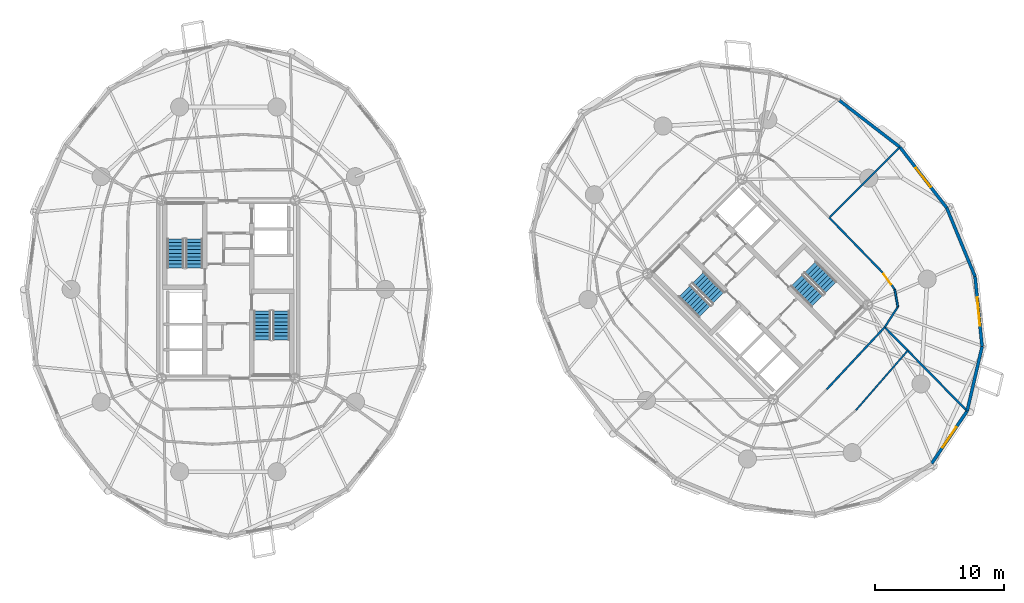
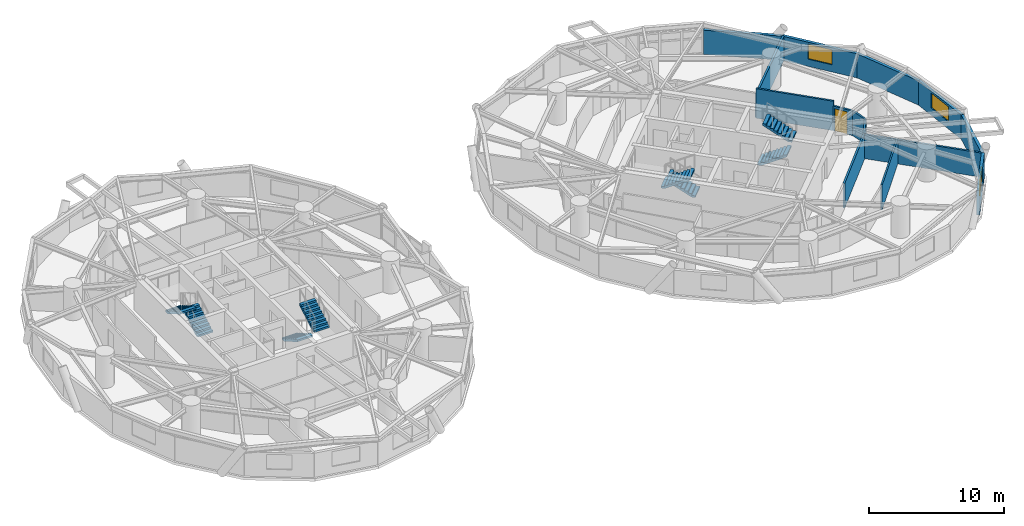
# One storey, part 15 of 17: 14 walls, 8 stair flights, 3 windows, 1 door, 4 openings, 4 elements without a shape of their own.
"""IFC4 building model written with IfcOpenShell, lengths in metres."""

import ifcopenshell
import ifcopenshell.guid

model = None  # the IFC model being written
_history = None  # IfcOwnerHistory: only IFC2X3 demands one
_inside = {}  # id of a spatial element -> (the spatial element, [elements in it])
_under = {}  # id of a project, library or spatial element -> (it, [spatial elements below it])
_declared = {}  # id of a project -> (the project, [libraries it declares])
_typed = {}  # id of a type object -> (the type object, [elements of that type])
_made_of = {}  # id of a material, layer set ... -> (it, [elements and type objects made of it])


def new_model(schema):
    """Start an empty IFC model of exactly this schema.

    Asked for "IFC4X3", IfcOpenShell would pick the latest addendum, in which some entities
    have other attributes; the version numbers below select the first issue.
    IFC2X3 requires an IfcOwnerHistory on every rooted entity: one is made here for all.
    """
    global model, _history
    if schema == "IFC4X3":
        model = ifcopenshell.file(schema_version=(4, 3, 0, 0))
    else:
        model = ifcopenshell.file(schema=schema)
    _inside.clear()
    _under.clear()
    _declared.clear()
    _typed.clear()
    _made_of.clear()
    _history = None
    if model.schema == "IFC2X3":
        org = make("IfcOrganization", Name="unknown")
        user = make(
            "IfcPersonAndOrganization",
            ThePerson=make("IfcPerson", FamilyName="unknown"),
            TheOrganization=org,
        )
        app = make(
            "IfcApplication",
            ApplicationDeveloper=org,
            Version="unknown",
            ApplicationFullName="unknown",
            ApplicationIdentifier="unknown",
        )
        _history = make(
            "IfcOwnerHistory",
            OwningUser=user,
            OwningApplication=app,
            ChangeAction="ADDED",
            CreationDate=0,
        )
    return model


def make(cls, **values):
    """One entity of the class cls with the attributes given. An attribute that is None is left unset."""
    return model.create_entity(
        cls, **{name: value for name, value in values.items() if value is not None}
    )


def rooted(cls, **values):
    """An entity with a GlobalId (a new one), such as an element, a storey or a relation."""
    return make(cls, GlobalId=ifcopenshell.guid.new(), OwnerHistory=_history, **values)


def si_unit(unit_type, name, prefix=None):
    """IfcSIUnit, for example si_unit("LENGTHUNIT", "METRE", prefix="MILLI")."""
    return make("IfcSIUnit", UnitType=unit_type, Prefix=prefix, Name=name)


def assignment(units):
    """IfcUnitAssignment: the units of a project."""
    return None if units is None else make("IfcUnitAssignment", Units=units)


def point(xyz):
    """IfcCartesianPoint."""
    return None if xyz is None else make("IfcCartesianPoint", Coordinates=xyz)


def direction(xyz):
    """IfcDirection."""
    return None if xyz is None else make("IfcDirection", DirectionRatios=xyz)


def frame(location, z_axis=None, x_axis=None):
    """IfcAxis2Placement3D, a coordinate frame: its origin and axes. An axis left out is left unset."""
    return make(
        "IfcAxis2Placement3D",
        Location=point(location),
        Axis=direction(z_axis),
        RefDirection=direction(x_axis),
    )


def frame_2d(location, x_axis=None):
    """IfcAxis2Placement2D, a coordinate frame in the plane: its origin and x axis."""
    return make(
        "IfcAxis2Placement2D", Location=point(location), RefDirection=direction(x_axis)
    )


def origin():
    """The frame at (0, 0, 0) with its axes left unset."""
    return frame((0.0, 0.0, 0.0))


def place(relative_to, where):
    """IfcLocalPlacement: puts the frame where relative to a parent placement (None: the world)."""
    return make(
        "IfcLocalPlacement", PlacementRelTo=relative_to, RelativePlacement=where
    )


def context(
    kind, dimensions, precision=None, world=None, true_north=None, identifier=None
):
    """IfcGeometricRepresentationContext, for example the 3D "Model" context."""
    return make(
        "IfcGeometricRepresentationContext",
        ContextIdentifier=identifier,
        ContextType=kind,
        CoordinateSpaceDimension=dimensions,
        Precision=precision,
        WorldCoordinateSystem=world,
        TrueNorth=true_north,
    )


def subcontext(parent, identifier, kind, view, scale=None):
    """IfcGeometricRepresentationSubContext, for example "Body" below "Model"."""
    return make(
        "IfcGeometricRepresentationSubContext",
        ContextIdentifier=identifier,
        ContextType=kind,
        ParentContext=parent,
        TargetScale=scale,
        TargetView=view,
    )


def project(units=None, contexts=None):
    """IfcProject with its units and contexts."""
    return rooted(
        "IfcProject",
        Name="project",
        RepresentationContexts=contexts,
        UnitsInContext=assignment(units),
    )


def spatial(cls, under=None, at=None, **own):
    """A site, building, storey or space (cls), placed at a placement, below another one or the project."""
    s = rooted(cls, ObjectPlacement=at, **own)
    if under is not None:
        _under.setdefault(under.id(), (under, []))[1].append(s)
    return s


def polyline(points):
    """IfcPolyline through the points."""
    return make("IfcPolyline", Points=[point(p) for p in points])


def profile(cls, at=None, kind="AREA", **sizes):
    """A parametric profile (cls). Its sizes go by their IFC names, for example OverallWidth=200.0."""
    return make(cls, ProfileType=kind, Position=at, **sizes)


def rectangle(**sizes):
    """IfcRectangleProfileDef."""
    return profile("IfcRectangleProfileDef", **sizes)


def outline(outer, holes=None, kind="AREA"):
    """IfcArbitraryClosedProfileDef: a profile drawn as a closed curve; with holes, ...WithVoids."""
    if holes is None:
        return make("IfcArbitraryClosedProfileDef", ProfileType=kind, OuterCurve=outer)
    return make(
        "IfcArbitraryProfileDefWithVoids",
        ProfileType=kind,
        OuterCurve=outer,
        InnerCurves=holes,
    )


def extrude(swept, where, along, depth):
    """IfcExtrudedAreaSolid: the profile swept, set in the frame where, extruded along a direction by depth."""
    return make(
        "IfcExtrudedAreaSolid",
        SweptArea=swept,
        Position=where,
        ExtrudedDirection=direction(along),
        Depth=depth,
    )


def shape(context_of_items, identifier, shape_type, items):
    """IfcShapeRepresentation: the items that make up one representation, for example the "Body"."""
    return make(
        "IfcShapeRepresentation",
        ContextOfItems=context_of_items,
        RepresentationIdentifier=identifier,
        RepresentationType=shape_type,
        Items=items,
    )


def source(mapping_origin, context_of_items, identifier, shape_type, items):
    """IfcRepresentationMap: a shape defined once, which mapped items show again and again."""
    return make(
        "IfcRepresentationMap",
        MappingOrigin=mapping_origin,
        MappedRepresentation=shape(context_of_items, identifier, shape_type, items),
    )


def transform(
    local_origin,
    x_axis=None,
    y_axis=None,
    z_axis=None,
    scale=None,
    scale2=None,
    scale3=None,
    uniform=True,
):
    """IfcCartesianTransformationOperator3D, or its non-uniform kind. x_axis, y_axis, z_axis: its Axis1, 2, 3."""
    if uniform:
        return make(
            "IfcCartesianTransformationOperator3D",
            Axis1=direction(x_axis),
            Axis2=direction(y_axis),
            LocalOrigin=point(local_origin),
            Scale=scale,
            Axis3=direction(z_axis),
        )
    return make(
        "IfcCartesianTransformationOperator3DnonUniform",
        Axis1=direction(x_axis),
        Axis2=direction(y_axis),
        LocalOrigin=point(local_origin),
        Scale=scale,
        Axis3=direction(z_axis),
        Scale2=scale2,
        Scale3=scale3,
    )


def mapped(mapping_source, mapping_target):
    """IfcMappedItem: shows the shape of a source again, moved by a transform."""
    return make(
        "IfcMappedItem", MappingSource=mapping_source, MappingTarget=mapping_target
    )


def material(Name=None, Category=None):
    """IfcMaterial."""
    return make("IfcMaterial", Name=Name, Category=Category)


def layer(
    of_material, thickness, ventilated=None, Name=None, Category=None, Priority=None
):
    """IfcMaterialLayer: one layer of a wall or slab, of a material (None: an air gap)."""
    return make(
        "IfcMaterialLayer",
        Material=of_material,
        LayerThickness=thickness,
        IsVentilated=ventilated,
        Name=Name,
        Category=Category,
        Priority=Priority,
    )


def layer_set(layers, Name=None):
    """IfcMaterialLayerSet."""
    return make("IfcMaterialLayerSet", MaterialLayers=layers, LayerSetName=Name)


def made_of(thing, what):
    """Note that an element or type object is made of a material, layer set ...; save() writes the relation."""
    if what is not None:
        _made_of.setdefault(what.id(), (what, []))[1].append(thing)
    return thing


def type_object(cls, material=None, **own):
    """A type object (cls), such as IfcWallType, which elements share."""
    return made_of(rooted(cls, **own), material)


def element(
    cls,
    number,
    at=None,
    inside=None,
    cuts=None,
    type_object=None,
    material=None,
    context=None,
    identifier="Body",
    shape_type=None,
    held_by="IfcProductDefinitionShape",
    body=None,
    shapes=None,
    **own,
):
    """One element of the class cls, such as IfcWall. Its Tag is "e" and its number.

    at: its placement. inside: the storey or other place that contains it. cuts: it is an
    opening in that element (IfcRelVoidsElement). A single representation is given by context,
    identifier, shape_type and body (its items); several are given by shapes. held_by: the class
    of the entity that holds the representations. save() writes the other relations.
    """
    e = rooted(cls, Tag="e%d" % number, ObjectPlacement=at, **own)
    if body is not None:
        shapes = [shape(context, identifier, shape_type, body)]
    if shapes is not None:
        e.Representation = make(held_by, Representations=shapes)
    if inside is not None:
        _inside.setdefault(inside.id(), (inside, []))[1].append(e)
    if cuts is not None:
        rooted(
            "IfcRelVoidsElement", RelatingBuildingElement=cuts, RelatedOpeningElement=e
        )
    if type_object is not None:
        _typed.setdefault(type_object.id(), (type_object, []))[1].append(e)
    return made_of(e, material)


def fill(opening, filler):
    """IfcRelFillsElement: the door or window that sits in an opening."""
    return rooted(
        "IfcRelFillsElement",
        RelatingOpeningElement=opening,
        RelatedBuildingElement=filler,
    )


def aggregate(whole, parts):
    """IfcRelAggregates: a whole, such as a stair, and the parts it consists of."""
    return rooted("IfcRelAggregates", RelatingObject=whole, RelatedObjects=parts)


def save(model, path):
    """Write the relations noted so far, then the file.

    IfcRelAggregates (storeys below a building ...), IfcRelContainedInSpatialStructure (elements
    in a storey), IfcRelDefinesByType, IfcRelAssociatesMaterial and IfcRelDeclares: one each for
    every whole, place, type object, material and project.
    """
    for whole, parts in _under.values():
        aggregate(whole, parts)
    for where, things in _inside.values():
        rooted(
            "IfcRelContainedInSpatialStructure",
            RelatedElements=things,
            RelatingStructure=where,
        )
    for kind, things in _typed.values():
        rooted("IfcRelDefinesByType", RelatedObjects=things, RelatingType=kind)
    for what, things in _made_of.values():
        rooted("IfcRelAssociatesMaterial", RelatedObjects=things, RelatingMaterial=what)
    for by, libraries in _declared.values():
        rooted("IfcRelDeclares", RelatingContext=by, RelatedDefinitions=libraries)
    model.write(path)


model = new_model("IFC4")

# Units and contexts
model_context = context("Model", 3, precision=1e-05, world=origin(), true_north=direction((0.0, 1.0)))
body_context = subcontext(model_context, "Body", "Model", "MODEL_VIEW")
ifc_project = project(units=[si_unit("LENGTHUNIT", "METRE"), si_unit("AREAUNIT", "SQUARE_METRE"), si_unit("VOLUMEUNIT", "CUBIC_METRE"), si_unit("PLANEANGLEUNIT", "RADIAN"), si_unit("MASSUNIT", "GRAM", prefix="KILO")], contexts=[model_context])

# Site, building, storey
site_placement = place(None, origin())
site = spatial("IfcSite", under=ifc_project, at=site_placement, CompositionType="ELEMENT")
building_placement = place(site_placement, origin())
building = spatial("IfcBuilding", under=site, at=building_placement, Name="Cununo Teusaquillo Station Towers", CompositionType="ELEMENT")
storey_placement = place(building_placement, frame((0.0, 0.0, 90.52001953125)))
storey = spatial("IfcBuildingStorey", under=building, at=storey_placement, Name="L28", CompositionType="ELEMENT", Elevation=90.52001953125)

# Wall
ifc_material_1 = material(Name="Precast concrete C40/50", Category="concrete")
ifc_layer_1 = layer(ifc_material_1, 0.239990234375)
ifc_layer_set_1 = layer_set([ifc_layer_1], Name="Precast concrete C40/50")
wall_type_1 = type_object("IfcWallType", Name="WL-EXT-240", PredefinedType="SOLIDWALL", material=ifc_layer_set_1)
wall_1_placement = place(storey_placement, frame((63.811279296875, 39.145263671875, 0.0), z_axis=(0.0, 0.0, 1.0), x_axis=(0.791982052206, -0.61054437102, 0.0)))
element("IfcWall", 1, at=wall_1_placement, inside=storey, type_object=wall_type_1, Name="L28 Tower B Exterior Facade Wall C00", PredefinedType="SOLIDWALL", context=body_context, shape_type="SweptSolid", body=[
    extrude(rectangle(XDim=5.942138671875, YDim=0.239990234375, at=frame_2d((2.97119140625, 0.0))), origin(), (0.0, 0.0, 1.0), 2.178955078125),
])

# Wall, opening, window
wall_2_placement = place(storey_placement, frame((73.72900390625, 15.080078125, 0.0), z_axis=(0.0, 0.0, 1.0), x_axis=(-0.559572880421, -0.828781148131, 0.0)))
wall_2 = element("IfcWall", 2, at=wall_2_placement, inside=storey, type_object=wall_type_1, Name="L28 Tower B Exterior Facade Wall C15", PredefinedType="SOLIDWALL", context=body_context, shape_type="SweptSolid", body=[
    extrude(rectangle(XDim=4.904541015625, YDim=0.239990234375, at=frame_2d((2.4521484375, 0.0))), origin(), (0.0, 0.0, 1.0), 2.178955078125),
])
shared_shape_1 = source(origin(), body_context, "Body", "SweptSolid", [
    extrude(rectangle(XDim=1.89990234375, YDim=1.35009765625, at=frame_2d((0.949951171875, 0.675048828125))), frame((0.0, 0.1298828125, 0.0), z_axis=(0.0, -1.0, 0.0), x_axis=(1.0, 0.0, 0.0)), (0.0, 0.0, 1.0), 0.260009765625),
])
opening_1_placement = place(wall_2_placement, frame((1.501953125, 0.0, 0.64990234375)))
opening_1 = element("IfcOpeningElement", 3, at=opening_1_placement, cuts=wall_2, Name="Opening WN-02", PredefinedType="OPENING", context=body_context, shape_type="MappedRepresentation", body=[
    mapped(shared_shape_1, transform((0.0, 0.0, 0.0), x_axis=(1.0, 0.0, 0.0), y_axis=(0.0, 1.0, 0.0), z_axis=(0.0, 0.0, 1.0), scale=1.0)),
])
ifc_material_2 = material(Name="Operable acoustic tinted low-E double glazing", Category="glass")
window_type_1 = type_object("IfcWindowType", Name="WIN-OPER-1900", PartitioningType="DOUBLE_PANEL_VERTICAL", PredefinedType="WINDOW", material=ifc_material_2)
shared_shape_2 = source(origin(), body_context, "Body", "SweptSolid", [
    extrude(rectangle(XDim=1.89990234375, YDim=1.35009765625, at=frame_2d((0.949951171875, 0.675048828125))), frame((0.0, 0.030029296875, 0.0), z_axis=(0.0, -1.0, 0.0), x_axis=(1.0, 0.0, 0.0)), (0.0, 0.0, 1.0), 0.06005859375),
])
window_1_placement = place(opening_1_placement, origin())
window_1 = element("IfcWindow", 4, at=window_1_placement, inside=storey, type_object=window_type_1, Name="L28 Tower B Facade Window C15", OverallHeight=1.35009765625, OverallWidth=1.89990234375, PartitioningType="DOUBLE_PANEL_VERTICAL", PredefinedType="WINDOW", context=body_context, shape_type="MappedRepresentation", body=[
    mapped(shared_shape_2, transform((0.0, 0.0, 0.0), x_axis=(1.0, 0.0, 0.0), y_axis=(0.0, 1.0, 0.0), z_axis=(0.0, 0.0, 1.0), scale=1.0)),
])
fill(opening_1, window_1)

# Wall
wall_3_placement = place(storey_placement, frame((74.885009765625, 20.066650390625, 0.0), z_axis=(0.0, 0.0, 1.0), x_axis=(-0.225834725257, -0.974165631126, 0.0)))
element("IfcWall", 5, at=wall_3_placement, inside=storey, type_object=wall_type_1, Name="L28 Tower B Exterior Facade Wall C16", PredefinedType="SOLIDWALL", context=body_context, shape_type="SweptSolid", body=[
    extrude(rectangle(XDim=5.118896484375, YDim=0.239990234375, at=frame_2d((2.5595703125, 0.0))), origin(), (0.0, 0.0, 1.0), 2.178955078125),
])

# Wall, opening, window
wall_4_placement = place(storey_placement, frame((74.33935546875, 25.4873046875, 0.0), z_axis=(0.0, 0.0, 1.0), x_axis=(0.10015591906, -0.994971754311, 0.0)))
wall_4 = element("IfcWall", 6, at=wall_4_placement, inside=storey, type_object=wall_type_1, Name="L28 Tower B Exterior Facade Wall C17", PredefinedType="SOLIDWALL", context=body_context, shape_type="SweptSolid", body=[
    extrude(rectangle(XDim=5.447998046875, YDim=0.239990234375, at=frame_2d((2.72412109375, 0.0))), origin(), (0.0, 0.0, 1.0), 2.178955078125),
])
shared_shape_3 = source(origin(), body_context, "Body", "SweptSolid", [
    extrude(rectangle(XDim=2.199951171875, YDim=1.35009765625, at=frame_2d((1.10009765625, 0.675048828125))), frame((0.0, 0.1298828125, 0.0), z_axis=(0.0, -1.0, 0.0), x_axis=(1.0, 0.0, 0.0)), (0.0, 0.0, 1.0), 0.260009765625),
])
opening_2_placement = place(wall_4_placement, frame((1.6240234375, 0.0, 0.64990234375)))
opening_2 = element("IfcOpeningElement", 7, at=opening_2_placement, cuts=wall_4, Name="Opening WN-01", PredefinedType="OPENING", context=body_context, shape_type="MappedRepresentation", body=[
    mapped(shared_shape_3, transform((0.0, 0.0, 0.0), x_axis=(1.0, 0.0, 0.0), y_axis=(0.0, 1.0, 0.0), z_axis=(0.0, 0.0, 1.0), scale=1.0)),
])
ifc_material_3 = material(Name="Ceramic-fritted dark low-E double glazing", Category="glass")
window_type_2 = type_object("IfcWindowType", Name="WIN-FRIT-2200", PartitioningType="DOUBLE_PANEL_VERTICAL", PredefinedType="WINDOW", material=ifc_material_3)
shared_shape_4 = source(origin(), body_context, "Body", "SweptSolid", [
    extrude(rectangle(XDim=2.199951171875, YDim=1.35009765625, at=frame_2d((1.10009765625, 0.675048828125))), frame((0.0, 0.030029296875, 0.0), z_axis=(0.0, -1.0, 0.0), x_axis=(1.0, 0.0, 0.0)), (0.0, 0.0, 1.0), 0.06005859375),
])
window_2_placement = place(opening_2_placement, origin())
window_2 = element("IfcWindow", 8, at=window_2_placement, inside=storey, type_object=window_type_2, Name="L28 Tower B Facade Window C17", OverallHeight=1.35009765625, OverallWidth=2.199951171875, PartitioningType="DOUBLE_PANEL_VERTICAL", PredefinedType="WINDOW", context=body_context, shape_type="MappedRepresentation", body=[
    mapped(shared_shape_4, transform((0.0, 0.0, 0.0), x_axis=(1.0, 0.0, 0.0), y_axis=(0.0, 1.0, 0.0), z_axis=(0.0, 0.0, 1.0), scale=1.0)),
])
fill(opening_2, window_2)

# Wall
wall_5_placement = place(storey_placement, frame((72.145263671875, 30.811279296875, 0.0), z_axis=(0.0, 0.0, 1.0), x_axis=(0.381027003055, -0.924563909604, 0.0)))
element("IfcWall", 9, at=wall_5_placement, inside=storey, type_object=wall_type_1, Name="L28 Tower B Exterior Facade Wall C18", PredefinedType="SOLIDWALL", context=body_context, shape_type="SweptSolid", body=[
    extrude(rectangle(XDim=5.75830078125, YDim=0.239990234375, at=frame_2d((2.879150390625, 0.0))), origin(), (0.0, 0.0, 1.0), 2.178955078125),
])

# Wall, opening, window
wall_6_placement = place(storey_placement, frame((68.517333984375, 35.517333984375, 0.0), z_axis=(0.0, 0.0, 1.0), x_axis=(0.61054437102, -0.791982052206, 0.0)))
wall_6 = element("IfcWall", 10, at=wall_6_placement, inside=storey, type_object=wall_type_1, Name="L28 Tower B Exterior Facade Wall C19", PredefinedType="SOLIDWALL", context=body_context, shape_type="SweptSolid", body=[
    extrude(rectangle(XDim=5.942138671875, YDim=0.239990234375, at=frame_2d((2.97119140625, 0.0))), origin(), (0.0, 0.0, 1.0), 2.178955078125),
])
opening_3_placement = place(wall_6_placement, frame((2.02099609375, 0.0, 0.64990234375)))
opening_3 = element("IfcOpeningElement", 11, at=opening_3_placement, cuts=wall_6, Name="Opening WN-02", PredefinedType="OPENING", context=body_context, shape_type="MappedRepresentation", body=[
    mapped(shared_shape_1, transform((0.0, 0.0, 0.0), x_axis=(1.0, 0.0, 0.0), y_axis=(0.0, 1.0, 0.0), z_axis=(0.0, 0.0, 1.0), scale=1.0)),
])
window_3_placement = place(opening_3_placement, origin())
window_3 = element("IfcWindow", 12, at=window_3_placement, inside=storey, type_object=window_type_1, Name="L28 Tower B Facade Window C19", OverallHeight=1.35009765625, OverallWidth=1.89990234375, PartitioningType="DOUBLE_PANEL_VERTICAL", PredefinedType="WINDOW", context=body_context, shape_type="MappedRepresentation", body=[
    mapped(shared_shape_2, transform((0.0, 0.0, 0.0), x_axis=(1.0, 0.0, 0.0), y_axis=(0.0, 1.0, 0.0), z_axis=(0.0, 0.0, 1.0), scale=1.0)),
])
fill(opening_3, window_3)

# Walls
ifc_material_4 = material(Name="Fire-rated gypsum plasterboard partition assembly", Category="gypsum")
ifc_layer_2 = layer(ifc_material_4, 0.125)
ifc_layer_set_2 = layer_set([ifc_layer_2], Name="Fire-rated gypsum plasterboard partition assembly")
wall_type_2 = type_object("IfcWallType", Name="WL-PART-125", PredefinedType="PARTITIONING", material=ifc_layer_set_2)
wall_7_placement = place(storey_placement, frame((65.1162109375, 15.14453125, 0.0), z_axis=(0.0, 0.0, 1.0), x_axis=(0.656272685344, 0.75452379848, 0.0)))
element("IfcWall", 13, at=wall_7_placement, inside=storey, type_object=wall_type_2, Name="L28 Tower B Staff Espresso & Pantry Lounge Concentric Partition Wall C15", PredefinedType="PARTITIONING", context=body_context, shape_type="SweptSolid", body=[
    extrude(rectangle(XDim=6.1103515625, YDim=0.125, at=frame_2d((3.05517578125, 0.0))), origin(), (0.0, 0.0, 1.0), 2.22509765625),
])
ifc_material_5 = material(Name="Fire-rated gypsum plasterboard partition assembly", Category="gypsum")
ifc_layer_3 = layer(ifc_material_5, 0.14990234375)
ifc_layer_set_3 = layer_set([ifc_layer_3], Name="Fire-rated gypsum plasterboard partition assembly")
wall_type_3 = type_object("IfcWallType", Name="WL-PART-150", PredefinedType="PARTITIONING", material=ifc_layer_set_3)
wall_8_placement = place(storey_placement, frame((62.83935546875, 16.74462890625, 0.0), z_axis=(0.0, 0.0, 1.0), x_axis=(0.682386779427, 0.73099130177, 0.0)))
element("IfcWall", 14, at=wall_8_placement, inside=storey, type_object=wall_type_3, Name="L28 Tower B Corridor Ring Wall C15", PredefinedType="PARTITIONING", context=body_context, shape_type="SweptSolid", body=[
    extrude(rectangle(XDim=6.600341796875, YDim=0.14990234375, at=frame_2d((3.30029296875, 0.0))), origin(), (0.0, 0.0, 1.0), 2.22509765625),
])
wall_9_placement = place(storey_placement, frame((67.34326171875, 21.5693359375, 0.0), z_axis=(0.0, 0.0, 1.0), x_axis=(0.542722446786, 0.83991210597, 0.0)))
element("IfcWall", 15, at=wall_9_placement, inside=storey, type_object=wall_type_3, Name="L28 Tower B Corridor Ring Wall C16", PredefinedType="PARTITIONING", context=body_context, shape_type="SweptSolid", body=[
    extrude(rectangle(XDim=1.876220703125, YDim=0.14990234375, at=frame_2d((0.93798828125, 0.0))), origin(), (0.0, 0.0, 1.0), 2.22509765625),
])
wall_10_placement = place(storey_placement, frame((68.361572265625, 23.145263671875, 0.0), z_axis=(0.0, 0.0, 1.0), x_axis=(-0.175605524171, 0.984460613677, 0.0)))
element("IfcWall", 16, at=wall_10_placement, inside=storey, type_object=wall_type_3, Name="L28 Tower B Corridor Ring Wall C17", PredefinedType="PARTITIONING", context=body_context, shape_type="SweptSolid", body=[
    extrude(rectangle(XDim=1.369384765625, YDim=0.14990234375, at=frame_2d((0.6845703125, 0.0))), origin(), (0.0, 0.0, 1.0), 2.22509765625),
])

# Wall, opening, door
wall_11_placement = place(storey_placement, frame((68.12109375, 24.493408203125, 0.0), z_axis=(0.0, 0.0, 1.0), x_axis=(-0.583188677624, 0.812336732083, 0.0)))
wall_11 = element("IfcWall", 17, at=wall_11_placement, inside=storey, type_object=wall_type_3, Name="L28 Tower B Corridor Ring Wall C18", PredefinedType="PARTITIONING", context=body_context, shape_type="SweptSolid", body=[
    extrude(rectangle(XDim=1.59716796875, YDim=0.14990234375, at=frame_2d((0.798583984375, 0.0))), origin(), (0.0, 0.0, 1.0), 2.22509765625),
])
shared_shape_5 = source(origin(), body_context, "Body", "SweptSolid", [
    extrude(rectangle(XDim=1.0, YDim=2.014892578125, at=frame_2d((0.5, 1.00732421875))), frame((0.0, 0.0849609375, 0.0), z_axis=(0.0, -1.0, 0.0), x_axis=(1.0, 0.0, 0.0)), (0.0, 0.0, 1.0), 0.169921875),
])
opening_4_placement = place(wall_11_placement, frame((0.47705078125, 0.0, 0.0)))
opening_4 = element("IfcOpeningElement", 18, at=opening_4_placement, cuts=wall_11, Name="Opening D-AC1", PredefinedType="OPENING", context=body_context, shape_type="MappedRepresentation", body=[
    mapped(shared_shape_5, transform((0.0, 0.0, 0.0), x_axis=(1.0, 0.0, 0.0), y_axis=(0.0, 1.0, 0.0), z_axis=(0.0, 0.0, 1.0), scale=1.0)),
])
ifc_material_6 = material(Name="Acoustic solid-core hardwood leaf assembly", Category="wood")
door_type = type_object("IfcDoorType", Name="DR-ACC-1000", OperationType="NOTDEFINED", PredefinedType="DOOR", material=ifc_material_6)
shared_shape_6 = source(origin(), body_context, "Body", "SweptSolid", [
    extrude(rectangle(XDim=1.0, YDim=2.014892578125, at=frame_2d((0.5, 1.00732421875))), frame((0.0, 0.02490234375, 0.0), z_axis=(0.0, -1.0, 0.0), x_axis=(1.0, 0.0, 0.0)), (0.0, 0.0, 1.0), 0.050048828125),
])
door_placement = place(opening_4_placement, origin())
door = element("IfcDoor", 19, at=door_placement, inside=storey, type_object=door_type, Name="L28 Tower B Public Accessible Restroom WC Entrance Door", OperationType="SINGLE_SWING_LEFT", OverallHeight=2.014892578125, OverallWidth=1.0, PredefinedType="DOOR", context=body_context, shape_type="MappedRepresentation", body=[
    mapped(shared_shape_6, transform((0.0, 0.0, 0.0), x_axis=(1.0, 0.0, 0.0), y_axis=(0.0, 1.0, 0.0), z_axis=(0.0, 0.0, 1.0), scale=1.0)),
])
fill(opening_4, door)

# Walls
wall_12_placement = place(storey_placement, frame((67.189697265625, 25.790771484375, 0.0), z_axis=(0.0, 0.0, 1.0), x_axis=(-0.696839457851, 0.717227139742, 0.0)))
element("IfcWall", 20, at=wall_12_placement, inside=storey, type_object=wall_type_3, Name="L28 Tower B Corridor Ring Wall C19", PredefinedType="PARTITIONING", context=body_context, shape_type="SweptSolid", body=[
    extrude(rectangle(XDim=5.939453125, YDim=0.14990234375, at=frame_2d((2.9697265625, 0.0))), origin(), (0.0, 0.0, 1.0), 2.655029296875),
])
ifc_material_7 = material(Name="Fire-rated gypsum plasterboard partition assembly", Category="gypsum")
ifc_layer_4 = layer(ifc_material_7, 0.159912109375)
ifc_layer_set_4 = layer_set([ifc_layer_4], Name="Fire-rated gypsum plasterboard partition assembly")
wall_type_4 = type_object("IfcWallType", Name="WL-PART-160", PredefinedType="PARTITIONING", material=ifc_layer_set_4)
wall_13_placement = place(storey_placement, frame((63.05078125, 30.05078125, 0.0), z_axis=(0.0, 0.0, 1.0), x_axis=(0.707106781187, 0.707106781187, 0.0)))
element("IfcWall", 21, at=wall_13_placement, inside=storey, type_object=wall_type_4, Name="L28 Tower B Radial Suite Partition R01", PredefinedType="PARTITIONING", context=body_context, shape_type="SweptSolid", body=[
    extrude(rectangle(XDim=7.711181640625, YDim=0.159912109375, at=frame_2d((3.85546875, 0.0))), origin(), (0.0, 0.0, 1.0), 2.178955078125),
])
wall_14_placement = place(storey_placement, frame((67.34326171875, 21.5693359375, 0.0), z_axis=(0.0, 0.0, 1.0), x_axis=(0.700899237588, -0.713260302238, 0.0)))
element("IfcWall", 22, at=wall_14_placement, inside=storey, type_object=wall_type_4, Name="L28 Tower B Radial Suite Partition R05", PredefinedType="PARTITIONING", context=body_context, shape_type="SweptSolid", body=[
    extrude(rectangle(XDim=9.08544921875, YDim=0.159912109375, at=frame_2d((4.542724609375, 0.0))), origin(), (0.0, 0.0, 1.0), 2.178955078125),
])

# Stair, stair flights
ifc_material_8 = material(Name="Concrete C50/60", Category="concrete")
stair_type = type_object("IfcStairType", Name="ST-TWR-1300", PredefinedType="HALF_TURN_STAIR", material=ifc_material_8)
stair_1_placement = place(storey_placement, origin())
stair_1 = element("IfcStair", 23, at=stair_1_placement, inside=storey, type_object=stair_type, Name="L28 Tower A Protected Core Exit Stair 1", PredefinedType="HALF_TURN_STAIR")
ifc_material_9 = material(Name="Concrete C50/60", Category="concrete")
stair_flight_type = type_object("IfcStairFlightType", Name="SFL-TWR-1300", PredefinedType="STRAIGHT", material=ifc_material_9)
stair_flight_1_placement = place(storey_placement, frame((13.8701171875, 26.169921875, 0.0), z_axis=(0.0, 0.0, 1.0), x_axis=(0.0, 1.0, 0.0)))
stair_flight_1 = element("IfcStairFlight", 24, at=stair_flight_1_placement, type_object=stair_flight_type, Name="ST-T1-1 flight 1", NumberOfRisers=9, NumberOfTreads=8, PredefinedType="STRAIGHT", RiserHeight=0.161666667, TreadLength=0.28, context=body_context, shape_type="SweptSolid", body=[
    extrude(outline(polyline([(0.0, 0.0), (0.0, 0.16162109375), (0.280029296875, 0.16162109375), (0.280029296875, 0.3232421875), (0.56005859375, 0.3232421875), (0.56005859375, 0.485107421875), (0.840087890625, 0.485107421875), (0.840087890625, 0.646728515625), (1.1201171875, 0.646728515625), (1.1201171875, 0.808349609375), (1.39990234375, 0.808349609375), (1.39990234375, 0.969970703125), (1.679931640625, 0.969970703125), (1.679931640625, 1.131591796875), (1.9599609375, 1.131591796875), (1.9599609375, 1.293212890625), (2.239990234375, 1.293212890625), (2.239990234375, 1.455078125), (2.239990234375, 1.1201171875), (0.2998046875, 0.0), (0.0, 0.0)])), frame((0.0, 0.64990234375, 0.0), z_axis=(0.0, -1.0, 0.0), x_axis=(1.0, 0.0, 0.0)), (0.0, 0.0, 1.0), 1.300048828125),
])
stair_flight_2_placement = place(storey_placement, frame((12.409912109375, 28.409912109375, 1.455078125), z_axis=(0.0, 0.0, 1.0), x_axis=(0.0, -1.0, 0.0)))
stair_flight_2 = element("IfcStairFlight", 25, at=stair_flight_2_placement, type_object=stair_flight_type, Name="ST-T1-1 flight 2", NumberOfRisers=9, NumberOfTreads=8, PredefinedType="STRAIGHT", RiserHeight=0.161666667, TreadLength=0.28, context=body_context, shape_type="SweptSolid", body=[
    extrude(outline(polyline([(0.0, 0.0), (0.0, 0.16162109375), (0.280029296875, 0.16162109375), (0.280029296875, 0.3232421875), (0.56005859375, 0.3232421875), (0.56005859375, 0.485107421875), (0.840087890625, 0.485107421875), (0.840087890625, 0.646728515625), (1.1201171875, 0.646728515625), (1.1201171875, 0.808349609375), (1.39990234375, 0.808349609375), (1.39990234375, 0.969970703125), (1.679931640625, 0.969970703125), (1.679931640625, 1.131591796875), (1.9599609375, 1.131591796875), (1.9599609375, 1.293212890625), (2.239990234375, 1.293212890625), (2.239990234375, 1.455078125), (2.239990234375, 1.1201171875), (0.2998046875, 0.0), (0.0, 0.0)])), frame((0.0, 0.64990234375, 0.0), z_axis=(0.0, -1.0, 0.0), x_axis=(1.0, 0.0, 0.0)), (0.0, 0.0, 1.0), 1.300048828125),
])
aggregate(stair_1, [stair_flight_1, stair_flight_2])

stair_2_placement = place(storey_placement, origin())
stair_2 = element("IfcStair", 26, at=stair_2_placement, inside=storey, type_object=stair_type, Name="L28 Tower A Protected Core Exit Stair 2", PredefinedType="HALF_TURN_STAIR")
stair_flight_3_placement = place(storey_placement, frame((19.1298828125, 22.830078125, 0.0), z_axis=(0.0, 0.0, 1.0), x_axis=(0.0, -1.0, 0.0)))
stair_flight_3 = element("IfcStairFlight", 27, at=stair_flight_3_placement, type_object=stair_flight_type, Name="ST-T1-2 flight 1", NumberOfRisers=9, NumberOfTreads=8, PredefinedType="STRAIGHT", RiserHeight=0.161666667, TreadLength=0.28, context=body_context, shape_type="SweptSolid", body=[
    extrude(outline(polyline([(0.0, 0.0), (0.0, 0.16162109375), (0.280029296875, 0.16162109375), (0.280029296875, 0.3232421875), (0.56005859375, 0.3232421875), (0.56005859375, 0.485107421875), (0.840087890625, 0.485107421875), (0.840087890625, 0.646728515625), (1.1201171875, 0.646728515625), (1.1201171875, 0.808349609375), (1.39990234375, 0.808349609375), (1.39990234375, 0.969970703125), (1.679931640625, 0.969970703125), (1.679931640625, 1.131591796875), (1.9599609375, 1.131591796875), (1.9599609375, 1.293212890625), (2.239990234375, 1.293212890625), (2.239990234375, 1.455078125), (2.239990234375, 1.1201171875), (0.2998046875, 0.0), (0.0, 0.0)])), frame((0.0, 0.64990234375, 0.0), z_axis=(0.0, -1.0, 0.0), x_axis=(1.0, 0.0, 0.0)), (0.0, 0.0, 1.0), 1.300048828125),
])
stair_flight_4_placement = place(storey_placement, frame((20.590087890625, 20.590087890625, 1.455078125), z_axis=(0.0, 0.0, 1.0), x_axis=(0.0, 1.0, 0.0)))
stair_flight_4 = element("IfcStairFlight", 28, at=stair_flight_4_placement, type_object=stair_flight_type, Name="ST-T1-2 flight 2", NumberOfRisers=9, NumberOfTreads=8, PredefinedType="STRAIGHT", RiserHeight=0.161666667, TreadLength=0.28, context=body_context, shape_type="SweptSolid", body=[
    extrude(outline(polyline([(0.0, 0.0), (0.0, 0.16162109375), (0.280029296875, 0.16162109375), (0.280029296875, 0.3232421875), (0.56005859375, 0.3232421875), (0.56005859375, 0.485107421875), (0.840087890625, 0.485107421875), (0.840087890625, 0.646728515625), (1.1201171875, 0.646728515625), (1.1201171875, 0.808349609375), (1.39990234375, 0.808349609375), (1.39990234375, 0.969970703125), (1.679931640625, 0.969970703125), (1.679931640625, 1.131591796875), (1.9599609375, 1.131591796875), (1.9599609375, 1.293212890625), (2.239990234375, 1.293212890625), (2.239990234375, 1.455078125), (2.239990234375, 1.1201171875), (0.2998046875, 0.0), (0.0, 0.0)])), frame((0.0, 0.64990234375, 0.0), z_axis=(0.0, -1.0, 0.0), x_axis=(1.0, 0.0, 0.0)), (0.0, 0.0, 1.0), 1.300048828125),
])
aggregate(stair_2, [stair_flight_3, stair_flight_4])

stair_3_placement = place(storey_placement, origin())
stair_3 = element("IfcStair", 29, at=stair_3_placement, inside=storey, type_object=stair_type, Name="L28 Tower B Protected Core Exit Stair 1", PredefinedType="HALF_TURN_STAIR")
stair_flight_5_placement = place(storey_placement, frame((54.45947265625, 23.8212890625, 0.0), z_axis=(0.0, 0.0, 1.0), x_axis=(-0.707106781187, 0.707106781187, 0.0)))
stair_flight_5 = element("IfcStairFlight", 30, at=stair_flight_5_placement, type_object=stair_flight_type, Name="ST-T2-1 flight 1", NumberOfRisers=9, NumberOfTreads=8, PredefinedType="STRAIGHT", RiserHeight=0.161666667, TreadLength=0.28, context=body_context, shape_type="SweptSolid", body=[
    extrude(outline(polyline([(0.0, 0.0), (0.0, 0.16162109375), (0.280029296875, 0.16162109375), (0.280029296875, 0.3232421875), (0.56005859375, 0.3232421875), (0.56005859375, 0.485107421875), (0.840087890625, 0.485107421875), (0.840087890625, 0.646728515625), (1.1201171875, 0.646728515625), (1.1201171875, 0.808349609375), (1.39990234375, 0.808349609375), (1.39990234375, 0.969970703125), (1.679931640625, 0.969970703125), (1.679931640625, 1.131591796875), (1.9599609375, 1.131591796875), (1.9599609375, 1.293212890625), (2.239990234375, 1.293212890625), (2.239990234375, 1.455078125), (2.239990234375, 1.1201171875), (0.2998046875, 0.0), (0.0, 0.0)])), frame((0.0, 0.64990234375, 0.0), z_axis=(0.0, -1.0, 0.0), x_axis=(1.0, 0.0, 0.0)), (0.0, 0.0, 1.0), 1.300048828125),
])
stair_flight_6_placement = place(storey_placement, frame((51.84326171875, 24.372802734375, 1.455078125), z_axis=(0.0, 0.0, 1.0), x_axis=(0.707106781187, -0.707106781187, 0.0)))
stair_flight_6 = element("IfcStairFlight", 31, at=stair_flight_6_placement, type_object=stair_flight_type, Name="ST-T2-1 flight 2", NumberOfRisers=9, NumberOfTreads=8, PredefinedType="STRAIGHT", RiserHeight=0.161666667, TreadLength=0.28, context=body_context, shape_type="SweptSolid", body=[
    extrude(outline(polyline([(0.0, 0.0), (0.0, 0.16162109375), (0.280029296875, 0.16162109375), (0.280029296875, 0.3232421875), (0.56005859375, 0.3232421875), (0.56005859375, 0.485107421875), (0.840087890625, 0.485107421875), (0.840087890625, 0.646728515625), (1.1201171875, 0.646728515625), (1.1201171875, 0.808349609375), (1.39990234375, 0.808349609375), (1.39990234375, 0.969970703125), (1.679931640625, 0.969970703125), (1.679931640625, 1.131591796875), (1.9599609375, 1.131591796875), (1.9599609375, 1.293212890625), (2.239990234375, 1.293212890625), (2.239990234375, 1.455078125), (2.239990234375, 1.1201171875), (0.2998046875, 0.0), (0.0, 0.0)])), frame((0.0, 0.64990234375, 0.0), z_axis=(0.0, -1.0, 0.0), x_axis=(1.0, 0.0, 0.0)), (0.0, 0.0, 1.0), 1.300048828125),
])
aggregate(stair_3, [stair_flight_5, stair_flight_6])

stair_4_placement = place(storey_placement, origin())
stair_4 = element("IfcStair", 32, at=stair_4_placement, inside=storey, type_object=stair_type, Name="L28 Tower B Protected Core Exit Stair 2", PredefinedType="HALF_TURN_STAIR")
stair_flight_7_placement = place(storey_placement, frame((60.54052734375, 25.1787109375, 0.0), z_axis=(0.0, 0.0, 1.0), x_axis=(0.707106781187, -0.707106781187, 0.0)))
stair_flight_7 = element("IfcStairFlight", 33, at=stair_flight_7_placement, type_object=stair_flight_type, Name="ST-T2-2 flight 1", NumberOfRisers=9, NumberOfTreads=8, PredefinedType="STRAIGHT", RiserHeight=0.161666667, TreadLength=0.28, context=body_context, shape_type="SweptSolid", body=[
    extrude(outline(polyline([(0.0, 0.0), (0.0, 0.16162109375), (0.280029296875, 0.16162109375), (0.280029296875, 0.3232421875), (0.56005859375, 0.3232421875), (0.56005859375, 0.485107421875), (0.840087890625, 0.485107421875), (0.840087890625, 0.646728515625), (1.1201171875, 0.646728515625), (1.1201171875, 0.808349609375), (1.39990234375, 0.808349609375), (1.39990234375, 0.969970703125), (1.679931640625, 0.969970703125), (1.679931640625, 1.131591796875), (1.9599609375, 1.131591796875), (1.9599609375, 1.293212890625), (2.239990234375, 1.293212890625), (2.239990234375, 1.455078125), (2.239990234375, 1.1201171875), (0.2998046875, 0.0), (0.0, 0.0)])), frame((0.0, 0.64990234375, 0.0), z_axis=(0.0, -1.0, 0.0), x_axis=(1.0, 0.0, 0.0)), (0.0, 0.0, 1.0), 1.300048828125),
])
stair_flight_8_placement = place(storey_placement, frame((63.15673828125, 24.627197265625, 1.455078125), z_axis=(0.0, 0.0, 1.0), x_axis=(-0.707106781187, 0.707106781187, 0.0)))
stair_flight_8 = element("IfcStairFlight", 34, at=stair_flight_8_placement, type_object=stair_flight_type, Name="ST-T2-2 flight 2", NumberOfRisers=9, NumberOfTreads=8, PredefinedType="STRAIGHT", RiserHeight=0.161666667, TreadLength=0.28, context=body_context, shape_type="SweptSolid", body=[
    extrude(outline(polyline([(0.0, 0.0), (0.0, 0.16162109375), (0.280029296875, 0.16162109375), (0.280029296875, 0.3232421875), (0.56005859375, 0.3232421875), (0.56005859375, 0.485107421875), (0.840087890625, 0.485107421875), (0.840087890625, 0.646728515625), (1.1201171875, 0.646728515625), (1.1201171875, 0.808349609375), (1.39990234375, 0.808349609375), (1.39990234375, 0.969970703125), (1.679931640625, 0.969970703125), (1.679931640625, 1.131591796875), (1.9599609375, 1.131591796875), (1.9599609375, 1.293212890625), (2.239990234375, 1.293212890625), (2.239990234375, 1.455078125), (2.239990234375, 1.1201171875), (0.2998046875, 0.0), (0.0, 0.0)])), frame((0.0, 0.64990234375, 0.0), z_axis=(0.0, -1.0, 0.0), x_axis=(1.0, 0.0, 0.0)), (0.0, 0.0, 1.0), 1.300048828125),
])
aggregate(stair_4, [stair_flight_7, stair_flight_8])

save(model, "model.ifc")
